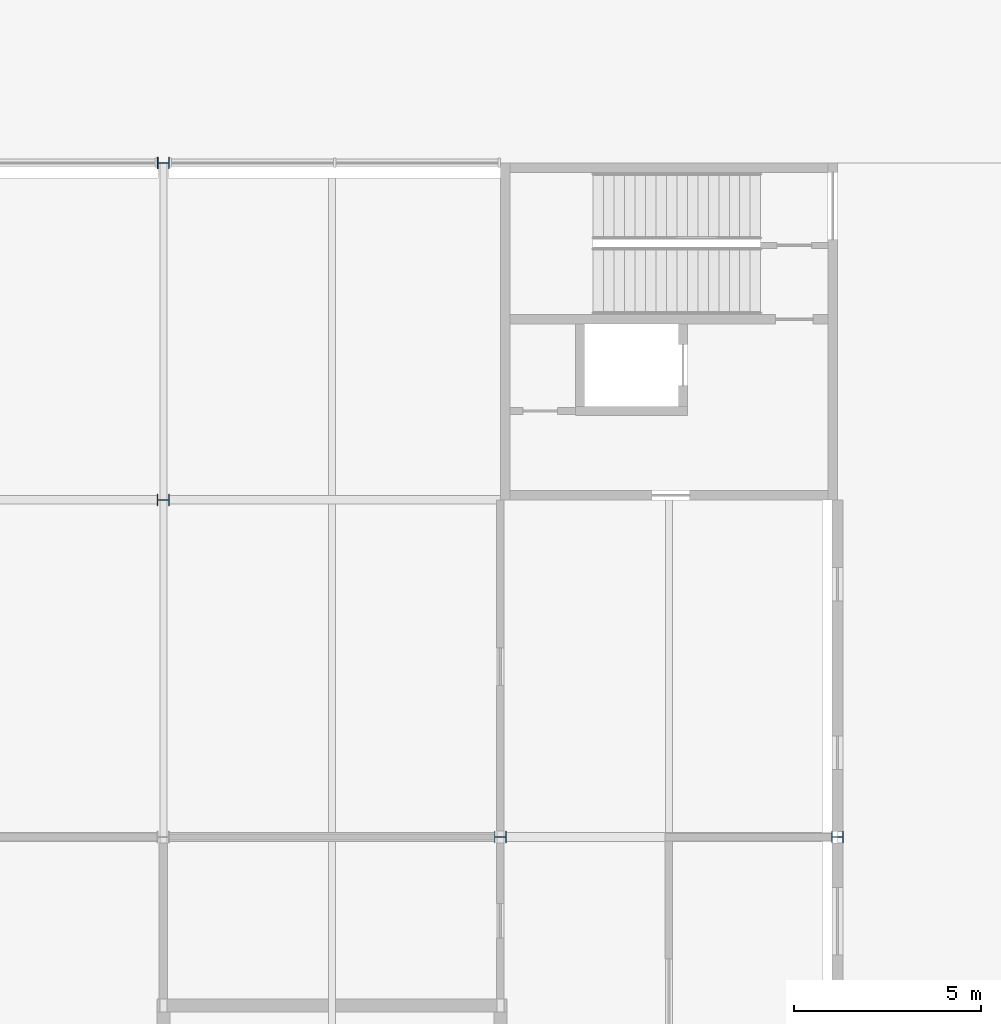
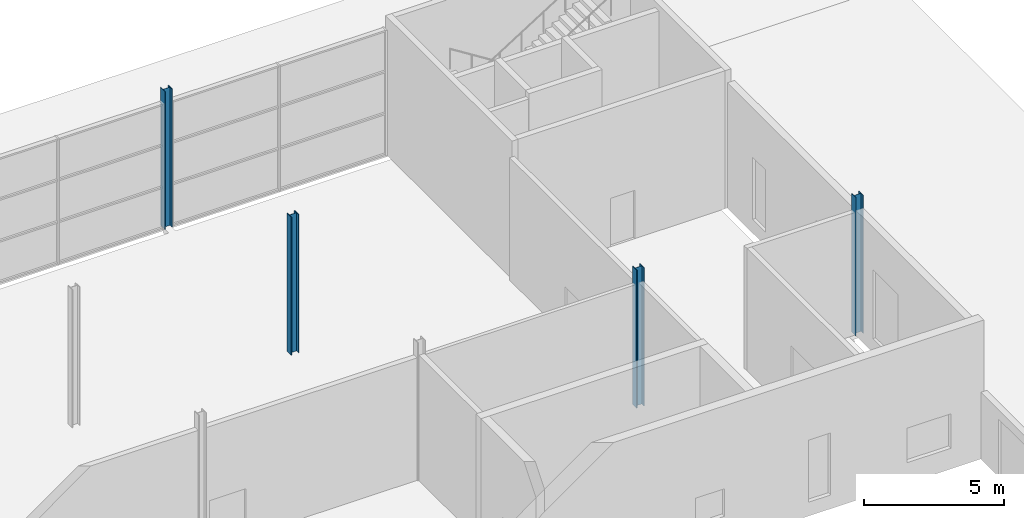
# One storey, part 31 of 97: 4 columns.
"""IFC4 building model written with IfcOpenShell, lengths in metres."""

import ifcopenshell
import ifcopenshell.guid

model = None  # the IFC model being written
_history = None  # IfcOwnerHistory: only IFC2X3 demands one
_inside = {}  # id of a spatial element -> (the spatial element, [elements in it])
_under = {}  # id of a project, library or spatial element -> (it, [spatial elements below it])
_declared = {}  # id of a project -> (the project, [libraries it declares])
_typed = {}  # id of a type object -> (the type object, [elements of that type])
_made_of = {}  # id of a material, layer set ... -> (it, [elements and type objects made of it])


def new_model(schema):
    """Start an empty IFC model of exactly this schema.

    Asked for "IFC4X3", IfcOpenShell would pick the latest addendum, in which some entities
    have other attributes; the version numbers below select the first issue.
    IFC2X3 requires an IfcOwnerHistory on every rooted entity: one is made here for all.
    """
    global model, _history
    if schema == "IFC4X3":
        model = ifcopenshell.file(schema_version=(4, 3, 0, 0))
    else:
        model = ifcopenshell.file(schema=schema)
    _inside.clear()
    _under.clear()
    _declared.clear()
    _typed.clear()
    _made_of.clear()
    _history = None
    if model.schema == "IFC2X3":
        org = make("IfcOrganization", Name="unknown")
        user = make(
            "IfcPersonAndOrganization",
            ThePerson=make("IfcPerson", FamilyName="unknown"),
            TheOrganization=org,
        )
        app = make(
            "IfcApplication",
            ApplicationDeveloper=org,
            Version="unknown",
            ApplicationFullName="unknown",
            ApplicationIdentifier="unknown",
        )
        _history = make(
            "IfcOwnerHistory",
            OwningUser=user,
            OwningApplication=app,
            ChangeAction="ADDED",
            CreationDate=0,
        )
    return model


def make(cls, **values):
    """One entity of the class cls with the attributes given. An attribute that is None is left unset."""
    return model.create_entity(
        cls, **{name: value for name, value in values.items() if value is not None}
    )


def rooted(cls, **values):
    """An entity with a GlobalId (a new one), such as an element, a storey or a relation."""
    return make(cls, GlobalId=ifcopenshell.guid.new(), OwnerHistory=_history, **values)


def si_unit(unit_type, name, prefix=None):
    """IfcSIUnit, for example si_unit("LENGTHUNIT", "METRE", prefix="MILLI")."""
    return make("IfcSIUnit", UnitType=unit_type, Prefix=prefix, Name=name)


def assignment(units):
    """IfcUnitAssignment: the units of a project."""
    return None if units is None else make("IfcUnitAssignment", Units=units)


def point(xyz):
    """IfcCartesianPoint."""
    return None if xyz is None else make("IfcCartesianPoint", Coordinates=xyz)


def direction(xyz):
    """IfcDirection."""
    return None if xyz is None else make("IfcDirection", DirectionRatios=xyz)


def frame(location, z_axis=None, x_axis=None):
    """IfcAxis2Placement3D, a coordinate frame: its origin and axes. An axis left out is left unset."""
    return make(
        "IfcAxis2Placement3D",
        Location=point(location),
        Axis=direction(z_axis),
        RefDirection=direction(x_axis),
    )


def frame_2d(location, x_axis=None):
    """IfcAxis2Placement2D, a coordinate frame in the plane: its origin and x axis."""
    return make(
        "IfcAxis2Placement2D", Location=point(location), RefDirection=direction(x_axis)
    )


def origin():
    """The frame at (0, 0, 0) with its axes left unset."""
    return frame((0.0, 0.0, 0.0))


def origin_2d():
    """The frame at (0, 0) in the plane with its x axis left unset."""
    return frame_2d((0.0, 0.0))


def place(relative_to, where):
    """IfcLocalPlacement: puts the frame where relative to a parent placement (None: the world)."""
    return make(
        "IfcLocalPlacement", PlacementRelTo=relative_to, RelativePlacement=where
    )


def context(
    kind, dimensions, precision=None, world=None, true_north=None, identifier=None
):
    """IfcGeometricRepresentationContext, for example the 3D "Model" context."""
    return make(
        "IfcGeometricRepresentationContext",
        ContextIdentifier=identifier,
        ContextType=kind,
        CoordinateSpaceDimension=dimensions,
        Precision=precision,
        WorldCoordinateSystem=world,
        TrueNorth=true_north,
    )


def subcontext(parent, identifier, kind, view, scale=None):
    """IfcGeometricRepresentationSubContext, for example "Body" below "Model"."""
    return make(
        "IfcGeometricRepresentationSubContext",
        ContextIdentifier=identifier,
        ContextType=kind,
        ParentContext=parent,
        TargetScale=scale,
        TargetView=view,
    )


def project(units=None, contexts=None):
    """IfcProject with its units and contexts."""
    return rooted(
        "IfcProject",
        Name="project",
        RepresentationContexts=contexts,
        UnitsInContext=assignment(units),
    )


def spatial(cls, under=None, at=None, **own):
    """A site, building, storey or space (cls), placed at a placement, below another one or the project."""
    s = rooted(cls, ObjectPlacement=at, **own)
    if under is not None:
        _under.setdefault(under.id(), (under, []))[1].append(s)
    return s


def profile(cls, at=None, kind="AREA", **sizes):
    """A parametric profile (cls). Its sizes go by their IFC names, for example OverallWidth=200.0."""
    return make(cls, ProfileType=kind, Position=at, **sizes)


def i_section(**sizes):
    """IfcIShapeProfileDef."""
    return profile("IfcIShapeProfileDef", **sizes)


def extrude(swept, where, along, depth):
    """IfcExtrudedAreaSolid: the profile swept, set in the frame where, extruded along a direction by depth."""
    return make(
        "IfcExtrudedAreaSolid",
        SweptArea=swept,
        Position=where,
        ExtrudedDirection=direction(along),
        Depth=depth,
    )


def shape(context_of_items, identifier, shape_type, items):
    """IfcShapeRepresentation: the items that make up one representation, for example the "Body"."""
    return make(
        "IfcShapeRepresentation",
        ContextOfItems=context_of_items,
        RepresentationIdentifier=identifier,
        RepresentationType=shape_type,
        Items=items,
    )


def material(Name=None, Category=None):
    """IfcMaterial."""
    return make("IfcMaterial", Name=Name, Category=Category)


def material_profile(
    of_material, cross_section, Name=None, Category=None, Priority=None
):
    """IfcMaterialProfile: a cross section and its material."""
    return make(
        "IfcMaterialProfile",
        Name=Name,
        Material=of_material,
        Profile=cross_section,
        Priority=Priority,
        Category=Category,
    )


def profile_set(profiles, Name=None, composite=None):
    """IfcMaterialProfileSet."""
    return make(
        "IfcMaterialProfileSet",
        Name=Name,
        MaterialProfiles=profiles,
        CompositeProfile=composite,
    )


def made_of(thing, what):
    """Note that an element or type object is made of a material, layer set ...; save() writes the relation."""
    if what is not None:
        _made_of.setdefault(what.id(), (what, []))[1].append(thing)
    return thing


def type_object(cls, material=None, **own):
    """A type object (cls), such as IfcWallType, which elements share."""
    return made_of(rooted(cls, **own), material)


def element(
    cls,
    number,
    at=None,
    inside=None,
    cuts=None,
    type_object=None,
    material=None,
    context=None,
    identifier="Body",
    shape_type=None,
    held_by="IfcProductDefinitionShape",
    body=None,
    shapes=None,
    **own,
):
    """One element of the class cls, such as IfcWall. Its Tag is "e" and its number.

    at: its placement. inside: the storey or other place that contains it. cuts: it is an
    opening in that element (IfcRelVoidsElement). A single representation is given by context,
    identifier, shape_type and body (its items); several are given by shapes. held_by: the class
    of the entity that holds the representations. save() writes the other relations.
    """
    e = rooted(cls, Tag="e%d" % number, ObjectPlacement=at, **own)
    if body is not None:
        shapes = [shape(context, identifier, shape_type, body)]
    if shapes is not None:
        e.Representation = make(held_by, Representations=shapes)
    if inside is not None:
        _inside.setdefault(inside.id(), (inside, []))[1].append(e)
    if cuts is not None:
        rooted(
            "IfcRelVoidsElement", RelatingBuildingElement=cuts, RelatedOpeningElement=e
        )
    if type_object is not None:
        _typed.setdefault(type_object.id(), (type_object, []))[1].append(e)
    return made_of(e, material)


def aggregate(whole, parts):
    """IfcRelAggregates: a whole, such as a stair, and the parts it consists of."""
    return rooted("IfcRelAggregates", RelatingObject=whole, RelatedObjects=parts)


def save(model, path):
    """Write the relations noted so far, then the file.

    IfcRelAggregates (storeys below a building ...), IfcRelContainedInSpatialStructure (elements
    in a storey), IfcRelDefinesByType, IfcRelAssociatesMaterial and IfcRelDeclares: one each for
    every whole, place, type object, material and project.
    """
    for whole, parts in _under.values():
        aggregate(whole, parts)
    for where, things in _inside.values():
        rooted(
            "IfcRelContainedInSpatialStructure",
            RelatedElements=things,
            RelatingStructure=where,
        )
    for kind, things in _typed.values():
        rooted("IfcRelDefinesByType", RelatedObjects=things, RelatingType=kind)
    for what, things in _made_of.values():
        rooted("IfcRelAssociatesMaterial", RelatedObjects=things, RelatingMaterial=what)
    for by, libraries in _declared.values():
        rooted("IfcRelDeclares", RelatingContext=by, RelatedDefinitions=libraries)
    model.write(path)


model = new_model("IFC4")

# Units and contexts
model_context = context("Model", 3, precision=1e-05, world=origin(), true_north=direction((0.0, 1.0)))
body_context = subcontext(model_context, "Body", "Model", "MODEL_VIEW")
ifc_project = project(units=[si_unit("LENGTHUNIT", "METRE"), si_unit("AREAUNIT", "SQUARE_METRE"), si_unit("VOLUMEUNIT", "CUBIC_METRE"), si_unit("PLANEANGLEUNIT", "RADIAN"), si_unit("MASSUNIT", "GRAM", prefix="KILO")], contexts=[model_context])

# Site, building, storey
site_placement = place(None, origin())
site = spatial("IfcSite", under=ifc_project, at=site_placement, CompositionType="ELEMENT")
building_placement = place(site_placement, origin())
building = spatial("IfcBuilding", under=site, at=building_placement, Name="Corbel Yard City Hall", CompositionType="ELEMENT")
storey_placement = place(building_placement, origin())
storey = spatial("IfcBuildingStorey", under=building, at=storey_placement, Name="L00", CompositionType="ELEMENT", Elevation=0.0)

# Columns
ifc_material = material(Name="Steel Grade 300 (300 MPa yield)", Category="steel")
ifc_material_profile_1 = material_profile(ifc_material, i_section(OverallWidth=0.306884765625, OverallDepth=0.31494140625, WebThickness=0.011962890625, FlangeThickness=0.018798828125, at=origin_2d()), Name="310UC118")
ifc_profile_set_1 = profile_set([ifc_material_profile_1], Name="Steel Grade 300 (300 MPa yield)")
column_type_1 = type_object("IfcColumnType", Name="Column 310UC118", PredefinedType="COLUMN", material=ifc_profile_set_1)
for number, where, z_axis, x_axis, name in (
    (1, (162.0, 117.0, 0.0), (0.0, 0.0, 1.0), (0.0, 1.0, 0.0), "Column 310UC118 N/19 L00"),
    (2, (180.0, 99.0, 0.0), (0.0, 0.0, 1.0), (0.0, 1.0, 0.0), "Column 310UC118 L/21 L00"),
):
    element("IfcColumn", number, at=place(storey_placement, frame(where, z_axis=z_axis, x_axis=x_axis)), inside=storey, type_object=column_type_1, Name=name, PredefinedType="COLUMN", context=body_context, shape_type="SweptSolid", body=[
        extrude(i_section(OverallWidth=0.306884765625, OverallDepth=0.31494140625, WebThickness=0.011962890625, FlangeThickness=0.018798828125, at=origin_2d()), origin(), (0.0, 0.0, 1.0), 6.0),
    ])
ifc_material_profile_2 = material_profile(ifc_material, i_section(OverallWidth=0.31103515625, OverallDepth=0.326904296875, WebThickness=0.015625, FlangeThickness=0.02490234375, at=origin_2d()), Name="310UC158")
ifc_profile_set_2 = profile_set([ifc_material_profile_2], Name="Steel Grade 300 (300 MPa yield)")
column_type_2 = type_object("IfcColumnType", Name="Column 310UC158", PredefinedType="COLUMN", material=ifc_profile_set_2)
for number, where, z_axis, x_axis, name in (
    (3, (162.0, 108.0, 0.0), (0.0, 0.0, 1.0), (0.0, 1.0, 0.0), "Column 310UC158 M/19 L00"),
    (4, (171.0, 99.0, 0.0), (0.0, 0.0, 1.0), (0.0, 1.0, 0.0), "Column 310UC158 L/20 L00"),
):
    element("IfcColumn", number, at=place(storey_placement, frame(where, z_axis=z_axis, x_axis=x_axis)), inside=storey, type_object=column_type_2, Name=name, PredefinedType="COLUMN", context=body_context, shape_type="SweptSolid", body=[
        extrude(i_section(OverallWidth=0.31103515625, OverallDepth=0.326904296875, WebThickness=0.015625, FlangeThickness=0.02490234375, at=origin_2d()), origin(), (0.0, 0.0, 1.0), 6.0),
    ])

save(model, "model.ifc")
